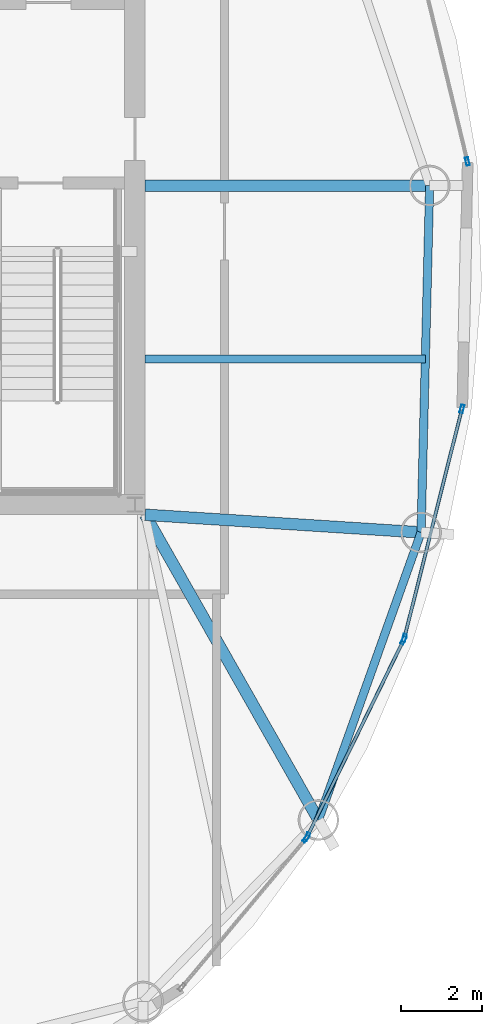
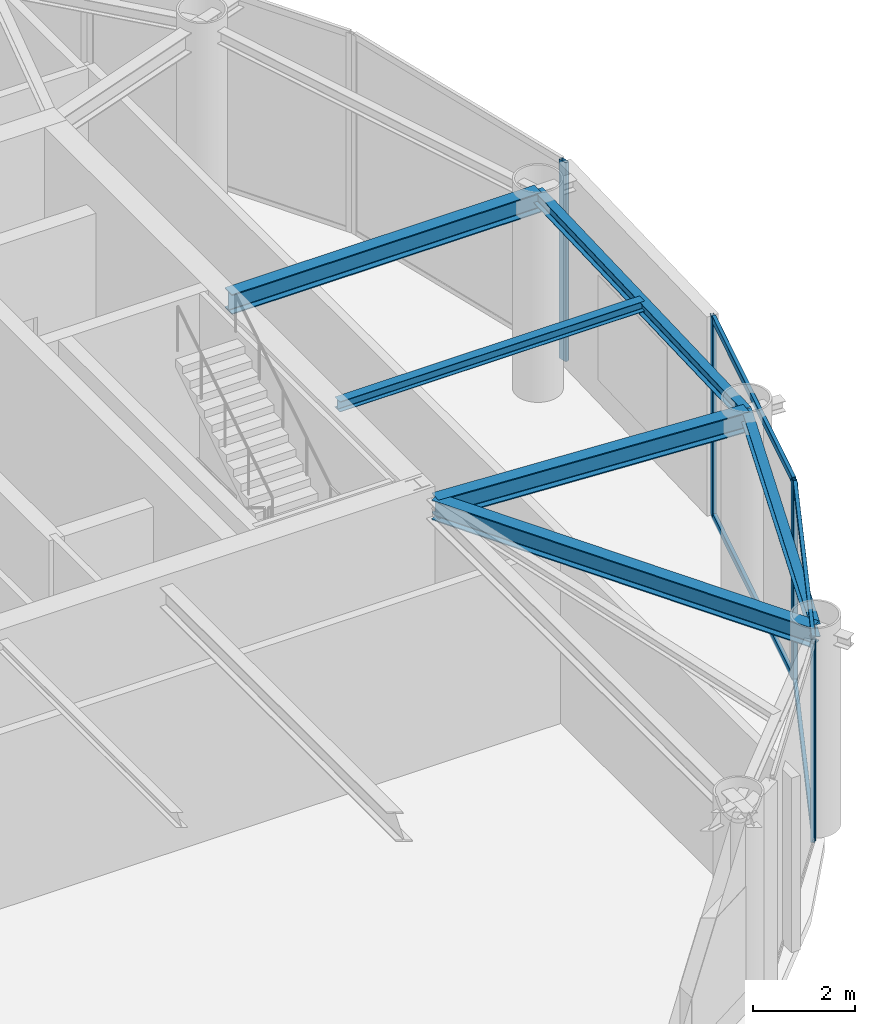
# One storey, part 10 of 23: 10 members, 6 beams, 4 elements without a shape of their own.
"""IFC4 building model written with IfcOpenShell, lengths in metres."""

from ifc_helpers import new_model, si_unit, direction, frame, origin, origin_2d, place, context, subcontext, project, spatial, hollow_rectangle, i_section, extrude, material, layer, layer_set, material_profile, profile_set, type_object, element, aggregate, save


model = new_model("IFC4")

# Units and contexts
model_context = context("Model", 3, precision=1e-05, world=origin(), true_north=direction((0.0, 1.0)))
body_context = subcontext(model_context, "Body", "Model", "MODEL_VIEW")
ifc_project = project(units=[si_unit("LENGTHUNIT", "METRE"), si_unit("AREAUNIT", "SQUARE_METRE"), si_unit("VOLUMEUNIT", "CUBIC_METRE"), si_unit("PLANEANGLEUNIT", "RADIAN"), si_unit("MASSUNIT", "GRAM", prefix="KILO")], contexts=[model_context])

# Site, building, storey
site_placement = place(None, origin())
site = spatial("IfcSite", under=ifc_project, at=site_placement, CompositionType="ELEMENT")
building_placement = place(site_placement, origin())
building = spatial("IfcBuilding", under=site, at=building_placement, Name="Bramvorn Convention Spire", CompositionType="ELEMENT")
storey_placement = place(building_placement, frame((0.0, 0.0, 307.5)))
storey = spatial("IfcBuildingStorey", under=building, at=storey_placement, Name="L78", CompositionType="ELEMENT", Elevation=307.5)

# Beams
ifc_material_1 = material(Name="Steel CSA G40.21 Grade 350 (350W)", Category="steel")
ifc_material_profile_1 = material_profile(ifc_material_1, i_section(OverallWidth=0.201904296875, OverallDepth=0.2470703125, WebThickness=0.00732421875, FlangeThickness=0.010986328125, FilletRadius=0.011962890625, at=origin_2d()))
ifc_profile_set_1 = profile_set([ifc_material_profile_1], Name="Steel CSA G40.21 Grade 350 (350W) - W250X49")
beam_type_1 = type_object("IfcBeamType", Name="BM-W250X49", PredefinedType="JOIST", material=ifc_profile_set_1)
beam_1_placement = place(storey_placement, frame((49.25, 22.373046875, 4.62646484375), z_axis=(1.0, 0.0, 0.0), x_axis=(0.0, 1.0, 0.0)))
element("IfcBeam", 1, at=beam_1_placement, inside=storey, type_object=beam_type_1, Name="L78 composite floor joist 03", PredefinedType="JOIST", context=body_context, shape_type="SweptSolid", body=[
    extrude(i_section(OverallWidth=0.201904296875, OverallDepth=0.2470703125, WebThickness=0.00732421875, FlangeThickness=0.010986328125, FilletRadius=0.011962890625, at=origin_2d()), origin(), (0.0, 0.0, 1.0), 6.879150390625),
])
ifc_material_profile_2 = material_profile(ifc_material_1, i_section(OverallWidth=0.202880859375, OverallDepth=0.302978515625, WebThickness=0.007568359375, FlangeThickness=0.01318359375, FilletRadius=0.013916015625, at=origin_2d()))
ifc_profile_set_2 = profile_set([ifc_material_profile_2], Name="Steel CSA G40.21 Grade 350 (350W) - W310X60")
beam_type_2 = type_object("IfcBeamType", Name="BM-W310X60", PredefinedType="JOIST", material=ifc_profile_set_2)
beam_2_placement = place(storey_placement, frame((53.50634765625, 11.05615234375, 4.598388671875), z_axis=(0.335839090413, 0.941919373063, 0.0), x_axis=(-0.941919373063, 0.335839090413, 0.0)))
element("IfcBeam", 2, at=beam_2_placement, inside=storey, type_object=beam_type_2, Name="L78 mega-column ring beam 02", PredefinedType="JOIST", context=body_context, shape_type="SweptSolid", body=[
    extrude(i_section(OverallWidth=0.202880859375, OverallDepth=0.302978515625, WebThickness=0.007568359375, FlangeThickness=0.01318359375, FilletRadius=0.013916015625, at=origin_2d()), origin(), (0.0, 0.0, 1.0), 7.49560546875),
])
beam_3_placement = place(storey_placement, frame((56.023681640625, 18.116455078125, 4.598388671875), z_axis=(0.024770853371, 0.999693155335, 0.0), x_axis=(-0.999693155335, 0.024770853371, 0.0)))
element("IfcBeam", 3, at=beam_3_placement, inside=storey, type_object=beam_type_2, Name="L78 mega-column ring beam 03", PredefinedType="JOIST", context=body_context, shape_type="SweptSolid", body=[
    extrude(i_section(OverallWidth=0.202880859375, OverallDepth=0.302978515625, WebThickness=0.007568359375, FlangeThickness=0.01318359375, FilletRadius=0.013916015625, at=origin_2d()), origin(), (0.0, 0.0, 1.0), 8.515625),
])
ifc_material_profile_3 = material_profile(ifc_material_1, i_section(OverallWidth=0.283935546875, OverallDepth=0.47607421875, WebThickness=0.014892578125, FlangeThickness=0.02392578125, FilletRadius=0.01806640625, at=origin_2d()))
ifc_profile_set_3 = profile_set([ifc_material_profile_3], Name="Steel CSA G40.21 Grade 350 (350W) - W460X158")
beam_type_3 = type_object("IfcBeamType", Name="BM-W460X158", PredefinedType="SPANDREL", material=ifc_profile_set_3)
beam_4_placement = place(storey_placement, frame((49.25, 18.550048828125, 4.511962890625), z_axis=(0.493873612118, -0.869533699895, 0.0), x_axis=(0.869533699895, 0.493873612118, 0.0)))
element("IfcBeam", 4, at=beam_4_placement, inside=storey, type_object=beam_type_3, Name="L78 radial floor girder MC02", PredefinedType="SPANDREL", context=body_context, shape_type="SweptSolid", body=[
    extrude(i_section(OverallWidth=0.283935546875, OverallDepth=0.47607421875, WebThickness=0.014892578125, FlangeThickness=0.02392578125, FilletRadius=0.01806640625, at=origin_2d()), origin(), (0.0, 0.0, 1.0), 8.618408203125),
])
beam_5_placement = place(storey_placement, frame((49.25, 18.550048828125, 4.511962890625), z_axis=(0.997957536354, -0.063880792379, 0.0), x_axis=(0.063880792379, 0.997957536354, 0.0)))
element("IfcBeam", 5, at=beam_5_placement, inside=storey, type_object=beam_type_3, Name="L78 radial floor girder MC03", PredefinedType="SPANDREL", context=body_context, shape_type="SweptSolid", body=[
    extrude(i_section(OverallWidth=0.283935546875, OverallDepth=0.47607421875, WebThickness=0.014892578125, FlangeThickness=0.02392578125, FilletRadius=0.01806640625, at=origin_2d()), origin(), (0.0, 0.0, 1.0), 6.78759765625),
])
beam_6_placement = place(storey_placement, frame((49.25, 26.62939453125, 4.511962890625), z_axis=(1.0, 0.0, 0.0), x_axis=(0.0, 1.0, 0.0)))
element("IfcBeam", 6, at=beam_6_placement, inside=storey, type_object=beam_type_3, Name="L78 radial floor girder MC04", PredefinedType="SPANDREL", context=body_context, shape_type="SweptSolid", body=[
    extrude(i_section(OverallWidth=0.283935546875, OverallDepth=0.47607421875, WebThickness=0.014892578125, FlangeThickness=0.02392578125, FilletRadius=0.01806640625, at=origin_2d()), origin(), (0.0, 0.0, 1.0), 6.984619140625),
])

# Curtain wall, member
ifc_material_2 = material(Name="Anodised Bronze Unitised Curtain Wall", Category="aluminium")
ifc_layer = layer(ifc_material_2, 0.199951171875)
ifc_layer_set = layer_set([ifc_layer], Name="Anodised Bronze Unitised Curtain Wall - CW-PLANT-LOUVRE")
curtain_wall_type = type_object("IfcCurtainWallType", Name="CW-PLANT-LOUVRE", PredefinedType="USERDEFINED", material=ifc_layer_set)
curtain_wall_1_placement = place(storey_placement, origin())
curtain_wall_1 = element("IfcCurtainWall", 7, at=curtain_wall_1_placement, inside=storey, type_object=curtain_wall_type, Name="L78 fritted glass curtain wall 02", ObjectType="UNITISED CURTAIN WALL", PredefinedType="USERDEFINED")
ifc_material_3 = material(Name="Anodised Bronze Aluminium 6063-T6", Category="aluminium")
ifc_material_profile_4 = material_profile(ifc_material_3, hollow_rectangle(XDim=0.080078125, YDim=0.199951171875, WallThickness=0.00390625, InnerFilletRadius=0.0009765625, OuterFilletRadius=0.00390625, at=origin_2d()))
ifc_profile_set_4 = profile_set([ifc_material_profile_4], Name="Anodised Bronze Aluminium 6063-T6 - CWM80X200")
member_type_1 = type_object("IfcMemberType", Name="CW-MUL-180", PredefinedType="MULLION", material=ifc_profile_set_4)
member_1_placement = place(storey_placement, frame((53.197265625, 10.59716796875, 0.0), z_axis=(0.0, 0.0, 1.0), x_axis=(0.767206496733, -0.641400180364, 0.0)))
member_1 = element("IfcMember", 8, at=member_1_placement, type_object=member_type_1, Name="CW5 mullion 1", PredefinedType="MULLION", context=body_context, shape_type="SweptSolid", body=[
    extrude(hollow_rectangle(XDim=0.080078125, YDim=0.199951171875, WallThickness=0.00390625, InnerFilletRadius=0.0009765625, OuterFilletRadius=0.00390625, at=origin_2d()), origin(), (0.0, 0.0, 1.0), 4.75),
])
aggregate(curtain_wall_1, [member_1])

# Curtain wall, members
curtain_wall_2_placement = place(storey_placement, origin())
curtain_wall_2 = element("IfcCurtainWall", 9, at=curtain_wall_2_placement, inside=storey, type_object=curtain_wall_type, Name="L78 fritted glass curtain wall 03", ObjectType="UNITISED CURTAIN WALL", PredefinedType="USERDEFINED")
member_2_placement = place(storey_placement, frame((55.59228515625, 15.467041015625, 0.0), z_axis=(0.0, 0.0, 1.0), x_axis=(0.897929432139, -0.440139449377, 0.0)))
member_2 = element("IfcMember", 10, at=member_2_placement, type_object=member_type_1, Name="CW5 mullion 1", PredefinedType="MULLION", context=body_context, shape_type="SweptSolid", body=[
    extrude(hollow_rectangle(XDim=0.080078125, YDim=0.199951171875, WallThickness=0.00390625, InnerFilletRadius=0.0009765625, OuterFilletRadius=0.00390625, at=origin_2d()), origin(), (0.0, 0.0, 1.0), 4.75),
])
member_3_placement = place(storey_placement, frame((53.229736328125, 10.647216796875, 0.0), z_axis=(0.0, 0.0, 1.0), x_axis=(0.897929432139, -0.440139449377, 0.0)))
member_3 = element("IfcMember", 11, at=member_3_placement, type_object=member_type_1, Name="CW5 mullion 2", PredefinedType="MULLION", context=body_context, shape_type="SweptSolid", body=[
    extrude(hollow_rectangle(XDim=0.080078125, YDim=0.199951171875, WallThickness=0.00390625, InnerFilletRadius=0.0009765625, OuterFilletRadius=0.00390625, at=origin_2d()), origin(), (0.0, 0.0, 1.0), 4.75),
])

curtain_wall_3_placement = place(storey_placement, origin())
curtain_wall_3 = element("IfcCurtainWall", 12, at=curtain_wall_3_placement, inside=storey, type_object=curtain_wall_type, Name="L78 fritted glass curtain wall 04", ObjectType="UNITISED CURTAIN WALL", PredefinedType="USERDEFINED")
member_4_placement = place(storey_placement, frame((57.028076171875, 21.149658203125, 0.0), z_axis=(0.0, 0.0, 1.0), x_axis=(0.969797329176, -0.243912156981, 0.0)))
member_4 = element("IfcMember", 13, at=member_4_placement, type_object=member_type_1, Name="CW5 mullion 1", PredefinedType="MULLION", context=body_context, shape_type="SweptSolid", body=[
    extrude(hollow_rectangle(XDim=0.080078125, YDim=0.199951171875, WallThickness=0.00390625, InnerFilletRadius=0.0009765625, OuterFilletRadius=0.00390625, at=origin_2d()), origin(), (0.0, 0.0, 1.0), 4.75),
])
member_5_placement = place(storey_placement, frame((55.61279296875, 15.52294921875, 0.0), z_axis=(0.0, 0.0, 1.0), x_axis=(0.969797329176, -0.243912156981, 0.0)))
member_5 = element("IfcMember", 14, at=member_5_placement, type_object=member_type_1, Name="CW5 mullion 2", PredefinedType="MULLION", context=body_context, shape_type="SweptSolid", body=[
    extrude(hollow_rectangle(XDim=0.080078125, YDim=0.199951171875, WallThickness=0.00390625, InnerFilletRadius=0.0009765625, OuterFilletRadius=0.00390625, at=origin_2d()), origin(), (0.0, 0.0, 1.0), 4.75),
])

# Curtain wall, member
curtain_wall_4_placement = place(storey_placement, origin())
curtain_wall_4 = element("IfcCurtainWall", 15, at=curtain_wall_4_placement, inside=storey, type_object=curtain_wall_type, Name="L78 fritted glass curtain wall 06", ObjectType="UNITISED CURTAIN WALL", PredefinedType="USERDEFINED")
member_6_placement = place(storey_placement, frame((57.160888671875, 27.221435546875, 0.0), z_axis=(0.0, 0.0, 1.0), x_axis=(0.971873206658, 0.235504713711, 0.0)))
member_6 = element("IfcMember", 16, at=member_6_placement, type_object=member_type_1, Name="CW5 mullion 2", PredefinedType="MULLION", context=body_context, shape_type="SweptSolid", body=[
    extrude(hollow_rectangle(XDim=0.080078125, YDim=0.199951171875, WallThickness=0.00390625, InnerFilletRadius=0.0009765625, OuterFilletRadius=0.00390625, at=origin_2d()), origin(), (0.0, 0.0, 1.0), 4.75),
])
aggregate(curtain_wall_4, [member_6])

# Member
ifc_material_profile_5 = material_profile(ifc_material_3, hollow_rectangle(XDim=0.080078125, YDim=0.159912109375, WallThickness=0.00390625, InnerFilletRadius=0.0009765625, OuterFilletRadius=0.00390625, at=origin_2d()))
ifc_profile_set_5 = profile_set([ifc_material_profile_5], Name="Anodised Bronze Aluminium 6063-T6 - CWT80X160")
member_type_2 = type_object("IfcMemberType", Name="CW-TRN-150", PredefinedType="USERDEFINED", material=ifc_profile_set_5)
member_7_placement = place(storey_placement, frame((55.5791015625, 15.43994140625, 0.030029296875), z_axis=(-0.440152853929, -0.897922861485, 0.0), x_axis=(0.897922861485, -0.440152853929, 0.0)))
member_7 = element("IfcMember", 17, at=member_7_placement, type_object=member_type_2, Name="CW5 transom 1.1", ObjectType="TRANSOM", PredefinedType="USERDEFINED", context=body_context, shape_type="SweptSolid", body=[
    extrude(hollow_rectangle(XDim=0.080078125, YDim=0.159912109375, WallThickness=0.00390625, InnerFilletRadius=0.0009765625, OuterFilletRadius=0.00390625, at=origin_2d()), origin(), (0.0, 0.0, 1.0), 5.3076171875),
])

member_8_placement = place(storey_placement, frame((55.5791015625, 15.43994140625, 4.719970703125), z_axis=(-0.440152853929, -0.897922861485, 0.0), x_axis=(0.897922861485, -0.440152853929, 0.0)))
member_8 = element("IfcMember", 18, at=member_8_placement, type_object=member_type_2, Name="CW5 transom 1.2", ObjectType="TRANSOM", PredefinedType="USERDEFINED", context=body_context, shape_type="SweptSolid", body=[
    extrude(hollow_rectangle(XDim=0.080078125, YDim=0.159912109375, WallThickness=0.00390625, InnerFilletRadius=0.0009765625, OuterFilletRadius=0.00390625, at=origin_2d()), origin(), (0.0, 0.0, 1.0), 5.3076171875),
])

aggregate(curtain_wall_2, [member_2, member_3, member_7, member_8])

member_9_placement = place(storey_placement, frame((57.020751953125, 21.12060546875, 0.030029296875), z_axis=(-0.243925965724, -0.969793856057, 0.0), x_axis=(0.969793856057, -0.243925965724, 0.0)))
member_9 = element("IfcMember", 19, at=member_9_placement, type_object=member_type_2, Name="CW5 transom 1.1", ObjectType="TRANSOM", PredefinedType="USERDEFINED", context=body_context, shape_type="SweptSolid", body=[
    extrude(hollow_rectangle(XDim=0.080078125, YDim=0.159912109375, WallThickness=0.00390625, InnerFilletRadius=0.0009765625, OuterFilletRadius=0.00390625, at=origin_2d()), origin(), (0.0, 0.0, 1.0), 5.741943359375),
])

member_10_placement = place(storey_placement, frame((57.020751953125, 21.12060546875, 4.719970703125), z_axis=(-0.243925965724, -0.969793856057, 0.0), x_axis=(0.969793856057, -0.243925965724, 0.0)))
member_10 = element("IfcMember", 20, at=member_10_placement, type_object=member_type_2, Name="CW5 transom 1.2", ObjectType="TRANSOM", PredefinedType="USERDEFINED", context=body_context, shape_type="SweptSolid", body=[
    extrude(hollow_rectangle(XDim=0.080078125, YDim=0.159912109375, WallThickness=0.00390625, InnerFilletRadius=0.0009765625, OuterFilletRadius=0.00390625, at=origin_2d()), origin(), (0.0, 0.0, 1.0), 5.741943359375),
])

aggregate(curtain_wall_3, [member_4, member_5, member_9, member_10])

save(model, "model.ifc")
